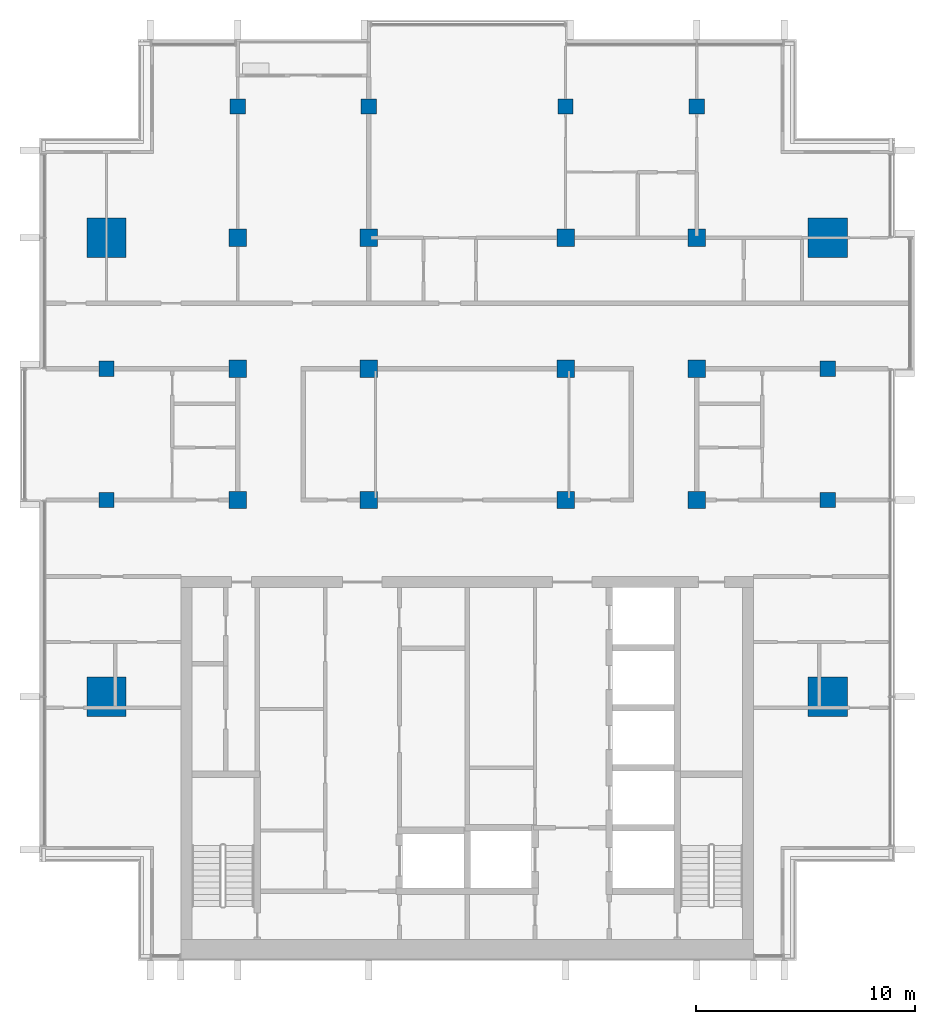
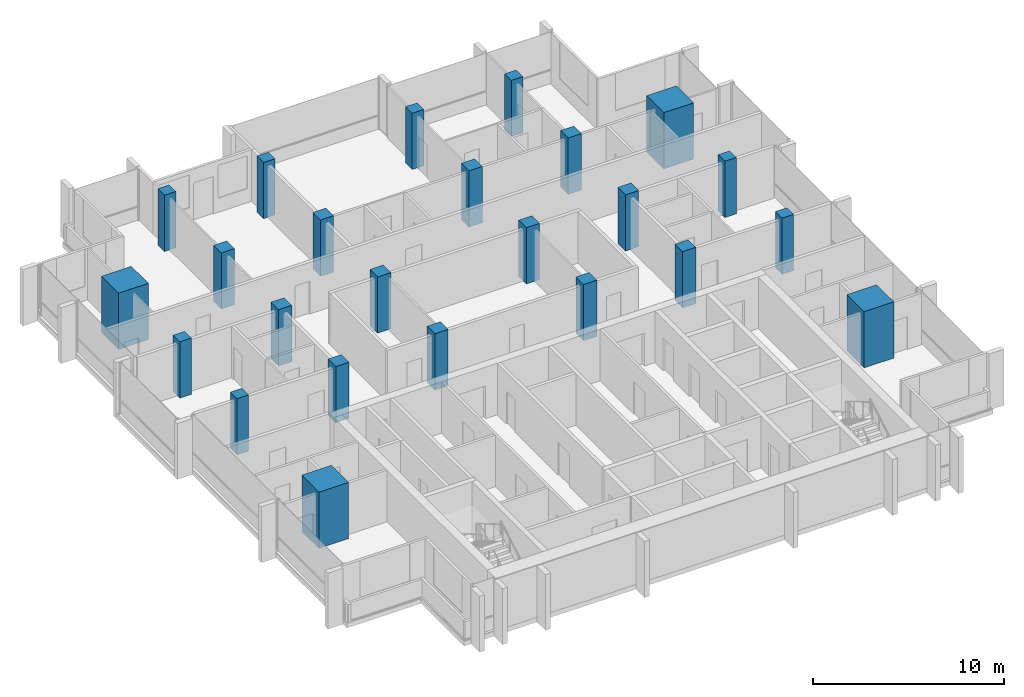
# One storey, part 1 of 16: 24 columns.
"""IFC4 building model written with IfcOpenShell, lengths in metres."""

from ifc_helpers import new_model, si_unit, direction, frame, origin, origin_2d, place, context, subcontext, project, spatial, rectangle, extrude, material, material_profile, profile_set, type_object, element, save


model = new_model("IFC4")

# Units and contexts
model_context = context("Model", 3, precision=1e-05, world=origin(), true_north=direction((0.0, 1.0)))
body_context = subcontext(model_context, "Body", "Model", "MODEL_VIEW")
ifc_project = project(units=[si_unit("LENGTHUNIT", "METRE"), si_unit("AREAUNIT", "SQUARE_METRE"), si_unit("VOLUMEUNIT", "CUBIC_METRE"), si_unit("PLANEANGLEUNIT", "RADIAN"), si_unit("MASSUNIT", "GRAM", prefix="KILO")], contexts=[model_context])

# Site, building, storey
site_placement = place(None, origin())
site = spatial("IfcSite", under=ifc_project, at=site_placement, CompositionType="ELEMENT")
building_placement = place(site_placement, origin())
building = spatial("IfcBuilding", under=site, at=building_placement, Name="Finial Court Residences", CompositionType="ELEMENT")
storey_placement = place(building_placement, frame((0.0, 0.0, 255.5)))
storey = spatial("IfcBuildingStorey", under=building, at=storey_placement, Name="L64", CompositionType="ELEMENT", Elevation=255.5)

# Columns
ifc_material = material(Name="Concrete C50/60", Category="concrete")
ifc_material_profile_1 = material_profile(ifc_material, rectangle(XDim=0.800048828125, YDim=0.800048828125, at=origin_2d()), Name="800x800")
ifc_profile_set_1 = profile_set([ifc_material_profile_1], Name="Concrete C50/60")
column_type_1 = type_object("IfcColumnType", Name="Interior column 800x800 Concrete C50/60", PredefinedType="COLUMN", material=ifc_profile_set_1)
for number, where, z_axis, x_axis, name in (
    (1, (-10.5, -4.5, 0.0), (0.0, 0.0, 1.0), (1.0, 0.0, 0.0), "S:COL:L64:D4"),
    (2, (-10.5, 1.5, 0.0), (0.0, 0.0, 1.0), (1.0, 0.0, 0.0), "S:COL:L64:D5"),
    (3, (-10.5, 7.5, 0.0), (0.0, 0.0, 1.0), (1.0, 0.0, 0.0), "S:COL:L64:D6"),
    (4, (-4.5, -4.5, 0.0), (0.0, 0.0, 1.0), (1.0, 0.0, 0.0), "S:COL:L64:E4"),
    (5, (-4.5, 1.5, 0.0), (0.0, 0.0, 1.0), (1.0, 0.0, 0.0), "S:COL:L64:E5"),
    (6, (-4.5, 7.5, 0.0), (0.0, 0.0, 1.0), (1.0, 0.0, 0.0), "S:COL:L64:E6"),
    (7, (4.5, -4.5, 0.0), (0.0, 0.0, 1.0), (1.0, 0.0, 0.0), "S:COL:L64:F4"),
    (8, (4.5, 1.5, 0.0), (0.0, 0.0, 1.0), (1.0, 0.0, 0.0), "S:COL:L64:F5"),
    (9, (4.5, 7.5, 0.0), (0.0, 0.0, 1.0), (1.0, 0.0, 0.0), "S:COL:L64:F6"),
    (10, (10.5, -4.5, 0.0), (0.0, 0.0, 1.0), (1.0, 0.0, 0.0), "S:COL:L64:G4"),
    (11, (10.5, 1.5, 0.0), (0.0, 0.0, 1.0), (1.0, 0.0, 0.0), "S:COL:L64:G5"),
    (12, (10.5, 7.5, 0.0), (0.0, 0.0, 1.0), (1.0, 0.0, 0.0), "S:COL:L64:G6"),
):
    element("IfcColumn", number, at=place(storey_placement, frame(where, z_axis=z_axis, x_axis=x_axis)), inside=storey, type_object=column_type_1, Name=name, PredefinedType="COLUMN", context=body_context, shape_type="SweptSolid", body=[
        extrude(rectangle(XDim=0.800048828125, YDim=0.800048828125, at=origin_2d()), origin(), (0.0, 0.0, 1.0), 3.60009765625),
    ])
ifc_material_profile_2 = material_profile(ifc_material, rectangle(XDim=1.800048828125, YDim=1.800048828125, at=origin_2d()), Name="1800x1800")
ifc_profile_set_2 = profile_set([ifc_material_profile_2], Name="Concrete C50/60")
column_type_2 = type_object("IfcColumnType", Name="Mega column 1800x1800 Concrete C50/60", PredefinedType="COLUMN", material=ifc_profile_set_2)
for number, where, z_axis, x_axis, name in (
    (13, (-16.5, -13.5, 0.0), (0.0, 0.0, 1.0), (1.0, 0.0, 0.0), "S:COL:L64:C3"),
    (14, (-16.5, 7.5, 0.0), (0.0, 0.0, 1.0), (1.0, 0.0, 0.0), "S:COL:L64:C6"),
    (15, (16.5, -13.5, 0.0), (0.0, 0.0, 1.0), (1.0, 0.0, 0.0), "S:COL:L64:H3"),
    (16, (16.5, 7.5, 0.0), (0.0, 0.0, 1.0), (1.0, 0.0, 0.0), "S:COL:L64:H6"),
):
    element("IfcColumn", number, at=place(storey_placement, frame(where, z_axis=z_axis, x_axis=x_axis)), inside=storey, type_object=column_type_2, Name=name, PredefinedType="COLUMN", context=body_context, shape_type="SweptSolid", body=[
        extrude(rectangle(XDim=1.800048828125, YDim=1.800048828125, at=origin_2d()), origin(), (0.0, 0.0, 1.0), 3.60009765625),
    ])
ifc_material_profile_3 = material_profile(ifc_material, rectangle(XDim=0.699951171875, YDim=0.699951171875, at=origin_2d()), Name="700x700")
ifc_profile_set_3 = profile_set([ifc_material_profile_3], Name="Concrete C50/60")
column_type_3 = type_object("IfcColumnType", Name="Perimeter column 700x700 Concrete C50/60", PredefinedType="COLUMN", material=ifc_profile_set_3)
for number, where, z_axis, x_axis, name in (
    (17, (-16.5, -4.5, 0.0), (0.0, 0.0, 1.0), (1.0, 0.0, 0.0), "S:COL:L64:C4"),
    (18, (-16.5, 1.5, 0.0), (0.0, 0.0, 1.0), (1.0, 0.0, 0.0), "S:COL:L64:C5"),
    (19, (-10.5, 13.5, 0.0), (0.0, 0.0, 1.0), (1.0, 0.0, 0.0), "S:COL:L64:D7"),
    (20, (-4.5, 13.5, 0.0), (0.0, 0.0, 1.0), (1.0, 0.0, 0.0), "S:COL:L64:E7"),
    (21, (4.5, 13.5, 0.0), (0.0, 0.0, 1.0), (1.0, 0.0, 0.0), "S:COL:L64:F7"),
    (22, (10.5, 13.5, 0.0), (0.0, 0.0, 1.0), (1.0, 0.0, 0.0), "S:COL:L64:G7"),
    (23, (16.5, -4.5, 0.0), (0.0, 0.0, 1.0), (1.0, 0.0, 0.0), "S:COL:L64:H4"),
    (24, (16.5, 1.5, 0.0), (0.0, 0.0, 1.0), (1.0, 0.0, 0.0), "S:COL:L64:H5"),
):
    element("IfcColumn", number, at=place(storey_placement, frame(where, z_axis=z_axis, x_axis=x_axis)), inside=storey, type_object=column_type_3, Name=name, PredefinedType="COLUMN", context=body_context, shape_type="SweptSolid", body=[
        extrude(rectangle(XDim=0.699951171875, YDim=0.699951171875, at=origin_2d()), origin(), (0.0, 0.0, 1.0), 3.60009765625),
    ])

save(model, "model.ifc")
